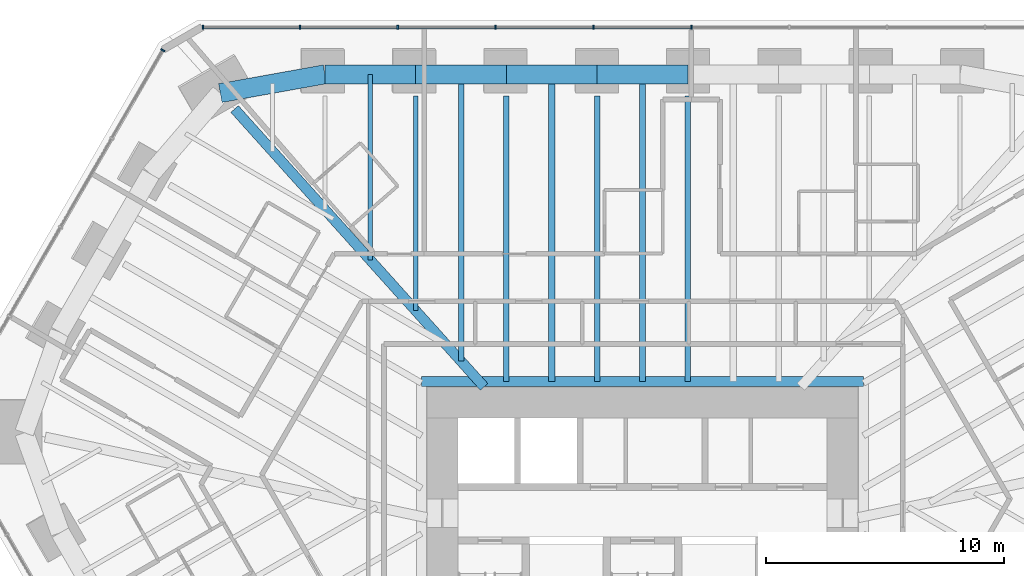
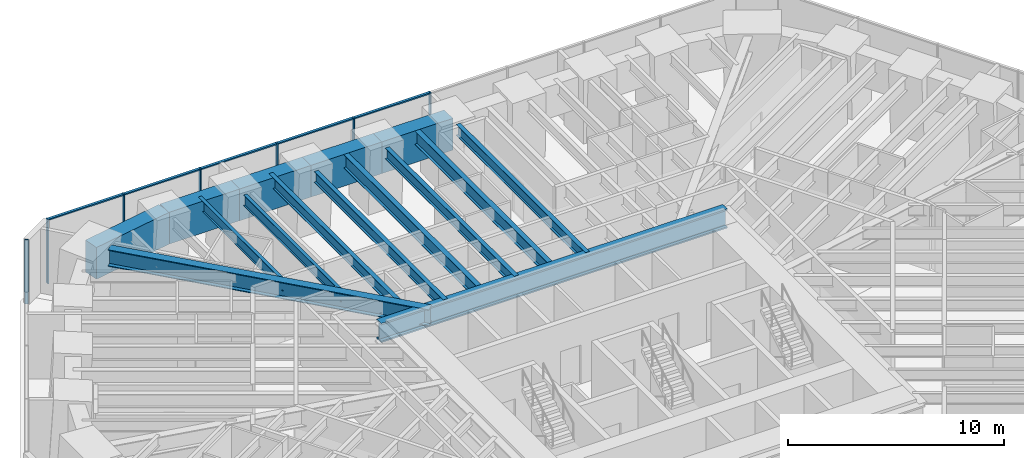
# One storey, part 8 of 17: 15 beams, 12 members, 2 elements without a shape of their own.
"""IFC4 building model written with IfcOpenShell, lengths in metres."""

from ifc_helpers import new_model, si_unit, direction, frame, origin, origin_2d, place, context, subcontext, project, spatial, rectangle, i_section, extrude, material, material_profile, profile_set, type_object, element, aggregate, save


model = new_model("IFC4")

# Units and contexts
model_context = context("Model", 3, precision=1e-05, world=origin(), true_north=direction((0.0, 1.0)))
body_context = subcontext(model_context, "Body", "Model", "MODEL_VIEW")
ifc_project = project(units=[si_unit("LENGTHUNIT", "METRE"), si_unit("AREAUNIT", "SQUARE_METRE"), si_unit("VOLUMEUNIT", "CUBIC_METRE"), si_unit("PLANEANGLEUNIT", "RADIAN"), si_unit("MASSUNIT", "GRAM", prefix="KILO")], contexts=[model_context])

# Site, building, storey
site_placement = place(None, origin())
site = spatial("IfcSite", under=ifc_project, at=site_placement, CompositionType="ELEMENT")
building_placement = place(site_placement, origin())
building = spatial("IfcBuilding", under=site, at=building_placement, Name="Sandreach Pilgrim Tower", CompositionType="ELEMENT")
storey_placement = place(building_placement, frame((0.0, 0.0, 161.39990234375)))
storey = spatial("IfcBuildingStorey", under=building, at=storey_placement, Name="L40", CompositionType="ELEMENT", Elevation=161.39990234375)

# Curtain wall, members
ifc_material_1 = material(Name="Aluminium framed curtain wall", Category="aluminium")
curtain_wall_type = type_object("IfcCurtainWallType", Name="Hotel tower curtain wall", PredefinedType="NOTDEFINED", material=ifc_material_1)
curtain_wall_1_placement = place(storey_placement, origin())
curtain_wall_1 = element("IfcCurtainWall", 1, at=curtain_wall_1_placement, inside=storey, type_object=curtain_wall_type, Name="CW-2 L40 N", PredefinedType="NOTDEFINED")
ifc_material_2 = material(Name="Aluminium extrusion", Category="aluminium")
ifc_material_profile_1 = material_profile(ifc_material_2, rectangle(XDim=0.06494140625, YDim=0.179931640625, at=origin_2d()), Name="CW-2M 65X180")
ifc_profile_set_1 = profile_set([ifc_material_profile_1], Name="Aluminium extrusion")
member_type_1 = type_object("IfcMemberType", Name="CW-2 mullion", PredefinedType="MULLION", material=ifc_profile_set_1)
member_1_placement = place(storey_placement, frame((-18.448974609375, 22.493896484375, 0.0), z_axis=(0.0, 0.0, 1.0), x_axis=(1.0, 0.0, 0.0)))
member_1 = element("IfcMember", 2, at=member_1_placement, type_object=member_type_1, Name="CW-2 mullion 1", PredefinedType="MULLION", context=body_context, shape_type="SweptSolid", body=[
    extrude(rectangle(XDim=0.06494140625, YDim=0.179931640625, at=origin_2d()), origin(), (0.0, 0.0, 1.0), 3.64013671875),
])
member_2_placement = place(storey_placement, frame((-14.37451171875, 22.493896484375, 0.0), z_axis=(0.0, 0.0, 1.0), x_axis=(1.0, 0.0, 0.0)))
member_2 = element("IfcMember", 3, at=member_2_placement, type_object=member_type_1, Name="CW-2 mullion 2", PredefinedType="MULLION", context=body_context, shape_type="SweptSolid", body=[
    extrude(rectangle(XDim=0.06494140625, YDim=0.179931640625, at=origin_2d()), origin(), (0.0, 0.0, 1.0), 3.64013671875),
])
member_3_placement = place(storey_placement, frame((-10.267333984375, 22.493896484375, 0.0), z_axis=(0.0, 0.0, 1.0), x_axis=(1.0, 0.0, 0.0)))
member_3 = element("IfcMember", 4, at=member_3_placement, type_object=member_type_1, Name="CW-2 mullion 3", PredefinedType="MULLION", context=body_context, shape_type="SweptSolid", body=[
    extrude(rectangle(XDim=0.06494140625, YDim=0.179931640625, at=origin_2d()), origin(), (0.0, 0.0, 1.0), 3.64013671875),
])
member_4_placement = place(storey_placement, frame((-6.160400390625, 22.493896484375, 0.0), z_axis=(0.0, 0.0, 1.0), x_axis=(1.0, 0.0, 0.0)))
member_4 = element("IfcMember", 5, at=member_4_placement, type_object=member_type_1, Name="CW-2 mullion 4", PredefinedType="MULLION", context=body_context, shape_type="SweptSolid", body=[
    extrude(rectangle(XDim=0.06494140625, YDim=0.179931640625, at=origin_2d()), origin(), (0.0, 0.0, 1.0), 3.64013671875),
])
member_5_placement = place(storey_placement, frame((-2.053466796875, 22.493896484375, 0.0), z_axis=(0.0, 0.0, 1.0), x_axis=(1.0, 0.0, 0.0)))
member_5 = element("IfcMember", 6, at=member_5_placement, type_object=member_type_1, Name="CW-2 mullion 5", PredefinedType="MULLION", context=body_context, shape_type="SweptSolid", body=[
    extrude(rectangle(XDim=0.06494140625, YDim=0.179931640625, at=origin_2d()), origin(), (0.0, 0.0, 1.0), 3.64013671875),
])
member_6_placement = place(storey_placement, frame((2.053466796875, 22.493896484375, 0.0), z_axis=(0.0, 0.0, 1.0), x_axis=(1.0, 0.0, 0.0)))
member_6 = element("IfcMember", 7, at=member_6_placement, type_object=member_type_1, Name="CW-2 mullion 6", PredefinedType="MULLION", context=body_context, shape_type="SweptSolid", body=[
    extrude(rectangle(XDim=0.06494140625, YDim=0.179931640625, at=origin_2d()), origin(), (0.0, 0.0, 1.0), 3.64013671875),
])

# Curtain wall, member
curtain_wall_2_placement = place(storey_placement, origin())
curtain_wall_2 = element("IfcCurtainWall", 8, at=curtain_wall_2_placement, inside=storey, type_object=curtain_wall_type, Name="CW-2 L40 NW", PredefinedType="NOTDEFINED")
member_7_placement = place(storey_placement, frame((-20.125732421875, 21.525634765625, 0.0), z_axis=(0.0, 0.0, 1.0), x_axis=(0.5, 0.866025403784, 0.0)))
member_7 = element("IfcMember", 9, at=member_7_placement, type_object=member_type_1, Name="CW-2 mullion 5", PredefinedType="MULLION", context=body_context, shape_type="SweptSolid", body=[
    extrude(rectangle(XDim=0.06494140625, YDim=0.179931640625, at=origin_2d()), origin(), (0.0, 0.0, 1.0), 3.64013671875),
])
aggregate(curtain_wall_2, [member_7])

# Member
ifc_material_3 = material(Name="Aluminium extrusion", Category="aluminium")
ifc_material_profile_2 = material_profile(ifc_material_3, rectangle(XDim=0.139892578125, YDim=0.070068359375, at=origin_2d()), Name="CW-2T 140X70")
ifc_profile_set_2 = profile_set([ifc_material_profile_2], Name="Aluminium extrusion")
member_type_2 = type_object("IfcMemberType", Name="CW-2 transom", PredefinedType="USERDEFINED", material=ifc_profile_set_2)
member_8_placement = place(storey_placement, frame((-18.416259765625, 22.493896484375, 3.60498046875), z_axis=(1.0, 0.0, 0.0), x_axis=(0.0, 1.0, 0.0)))
member_8 = element("IfcMember", 10, at=member_8_placement, type_object=member_type_2, Name="CW-2 head transom 1", ObjectType="TRANSOM", PredefinedType="USERDEFINED", context=body_context, shape_type="SweptSolid", body=[
    extrude(rectangle(XDim=0.139892578125, YDim=0.070068359375, at=origin_2d()), origin(), (0.0, 0.0, 1.0), 4.00927734375),
])

member_9_placement = place(storey_placement, frame((-14.341796875, 22.493896484375, 3.60498046875), z_axis=(1.0, 0.0, 0.0), x_axis=(0.0, 1.0, 0.0)))
member_9 = element("IfcMember", 11, at=member_9_placement, type_object=member_type_2, Name="CW-2 head transom 2", ObjectType="TRANSOM", PredefinedType="USERDEFINED", context=body_context, shape_type="SweptSolid", body=[
    extrude(rectangle(XDim=0.139892578125, YDim=0.070068359375, at=origin_2d()), origin(), (0.0, 0.0, 1.0), 4.041748046875),
])

member_10_placement = place(storey_placement, frame((-10.23486328125, 22.493896484375, 3.60498046875), z_axis=(1.0, 0.0, 0.0), x_axis=(0.0, 1.0, 0.0)))
member_10 = element("IfcMember", 12, at=member_10_placement, type_object=member_type_2, Name="CW-2 head transom 3", ObjectType="TRANSOM", PredefinedType="USERDEFINED", context=body_context, shape_type="SweptSolid", body=[
    extrude(rectangle(XDim=0.139892578125, YDim=0.070068359375, at=origin_2d()), origin(), (0.0, 0.0, 1.0), 4.0419921875),
])

member_11_placement = place(storey_placement, frame((-6.1279296875, 22.493896484375, 3.60498046875), z_axis=(1.0, 0.0, 0.0), x_axis=(0.0, 1.0, 0.0)))
member_11 = element("IfcMember", 13, at=member_11_placement, type_object=member_type_2, Name="CW-2 head transom 4", ObjectType="TRANSOM", PredefinedType="USERDEFINED", context=body_context, shape_type="SweptSolid", body=[
    extrude(rectangle(XDim=0.139892578125, YDim=0.070068359375, at=origin_2d()), origin(), (0.0, 0.0, 1.0), 4.0419921875),
])

member_12_placement = place(storey_placement, frame((-2.02099609375, 22.493896484375, 3.60498046875), z_axis=(1.0, 0.0, 0.0), x_axis=(0.0, 1.0, 0.0)))
member_12 = element("IfcMember", 14, at=member_12_placement, type_object=member_type_2, Name="CW-2 head transom 5", ObjectType="TRANSOM", PredefinedType="USERDEFINED", context=body_context, shape_type="SweptSolid", body=[
    extrude(rectangle(XDim=0.139892578125, YDim=0.070068359375, at=origin_2d()), origin(), (0.0, 0.0, 1.0), 4.0419921875),
])

aggregate(curtain_wall_1, [member_1, member_2, member_3, member_4, member_5, member_6, member_8, member_9, member_10, member_11, member_12])

# Beams
ifc_material_4 = material(Name="Steel ASTM A992 Grade 50", Category="steel")
ifc_material_profile_3 = material_profile(ifc_material_4, i_section(OverallWidth=0.424072265625, OverallDepth=1.09228515625, WebThickness=0.04541015625, FlangeThickness=0.08203125, at=origin_2d()), Name="W40X593")
ifc_profile_set_3 = profile_set([ifc_material_profile_3], Name="Steel ASTM A992 Grade 50")
beam_type_1 = type_object("IfcBeamType", Name="Core edge beam W40X593", PredefinedType="BEAM", material=ifc_profile_set_3)
beam_1_placement = place(storey_placement, frame((-9.27197265625, 7.6220703125, 3.093994140625), z_axis=(1.0, 0.0, 0.0), x_axis=(0.0, 1.0, 0.0)))
element("IfcBeam", 15, at=beam_1_placement, inside=storey, type_object=beam_type_1, Name="BM L40 CEN", PredefinedType="BEAM", context=body_context, shape_type="SweptSolid", body=[
    extrude(i_section(OverallWidth=0.424072265625, OverallDepth=1.09228515625, WebThickness=0.04541015625, FlangeThickness=0.08203125, at=origin_2d()), origin(), (0.0, 0.0, 1.0), 18.5439453125),
])
ifc_material_5 = material(Name="Steel ASTM A992 Grade 50", Category="steel")
ifc_material_profile_4 = material_profile(ifc_material_5, i_section(OverallWidth=0.424072265625, OverallDepth=0.947509765625, WebThickness=0.02392578125, FlangeThickness=0.042724609375, at=origin_2d()), Name="W36X302")
ifc_profile_set_4 = profile_set([ifc_material_profile_4], Name="Steel ASTM A992 Grade 50")
beam_type_2 = type_object("IfcBeamType", Name="Corner girder W36X302", PredefinedType="BEAM", material=ifc_profile_set_4)
beam_2_placement = place(storey_placement, frame((-17.112060546875, 19.05712890625, 3.16650390625), z_axis=(0.668110232317, -0.744062307521, 0.0), x_axis=(0.744062307521, 0.668110232317, 0.0)))
element("IfcBeam", 16, at=beam_2_placement, inside=storey, type_object=beam_type_2, Name="BM L40 CG39", PredefinedType="BEAM", context=body_context, shape_type="SweptSolid", body=[
    extrude(i_section(OverallWidth=0.424072265625, OverallDepth=0.947509765625, WebThickness=0.02392578125, FlangeThickness=0.042724609375, at=origin_2d()), origin(), (0.0, 0.0, 1.0), 15.6669921875),
])
ifc_material_6 = material(Name="Steel ASTM A992 Grade 50", Category="steel")
ifc_material_profile_5 = material_profile(ifc_material_6, i_section(OverallWidth=0.1787109375, OverallDepth=0.60205078125, WebThickness=0.010986328125, FlangeThickness=0.014892578125, at=origin_2d()), Name="W24X62")
ifc_profile_set_5 = profile_set([ifc_material_profile_5], Name="Steel ASTM A992 Grade 50")
beam_type_3 = type_object("IfcBeamType", Name="Floor beam W24X62", PredefinedType="BEAM", material=ifc_profile_set_5)
beam_3_placement = place(storey_placement, frame((-9.516357421875, 19.614990234375, 3.339111328125), z_axis=(0.0, -1.0, 0.0), x_axis=(1.0, 0.0, 0.0)))
element("IfcBeam", 17, at=beam_3_placement, inside=storey, type_object=beam_type_3, Name="BM L40 F02", PredefinedType="BEAM", context=body_context, shape_type="SweptSolid", body=[
    extrude(i_section(OverallWidth=0.1787109375, OverallDepth=0.60205078125, WebThickness=0.010986328125, FlangeThickness=0.014892578125, at=origin_2d()), origin(), (0.0, 0.0, 1.0), 9.016845703125),
])
beam_4_placement = place(storey_placement, frame((-11.419677734375, 20.514892578125, 3.339111328125), z_axis=(0.0, -1.0, 0.0), x_axis=(1.0, 0.0, 0.0)))
element("IfcBeam", 18, at=beam_4_placement, inside=storey, type_object=beam_type_3, Name="BM L40 FM01", PredefinedType="BEAM", context=body_context, shape_type="SweptSolid", body=[
    extrude(i_section(OverallWidth=0.1787109375, OverallDepth=0.60205078125, WebThickness=0.010986328125, FlangeThickness=0.014892578125, at=origin_2d()), origin(), (0.0, 0.0, 1.0), 7.797119140625),
])
ifc_material_7 = material(Name="Steel ASTM A992 Grade 50", Category="steel")
ifc_material_profile_6 = material_profile(ifc_material_7, i_section(OverallWidth=0.23046875, OverallDepth=0.6171875, WebThickness=0.01318359375, FlangeThickness=0.022216796875, at=origin_2d()), Name="W24X94")
ifc_profile_set_6 = profile_set([ifc_material_profile_6], Name="Steel ASTM A992 Grade 50")
beam_type_4 = type_object("IfcBeamType", Name="Floor beam W24X94", PredefinedType="BEAM", material=ifc_profile_set_6)
for number, where, z_axis, x_axis, name in (
    (19, (-5.7099609375, 19.614990234375, 3.33154296875), (0.0, -1.0, 0.0), (1.0, 0.0, 0.0), "BM L40 F03"),
    (20, (-1.9033203125, 19.614990234375, 3.33154296875), (0.0, -1.0, 0.0), (1.0, 0.0, 0.0), "BM L40 F04"),
    (21, (1.9033203125, 19.614990234375, 3.33154296875), (0.0, -1.0, 0.0), (1.0, 0.0, 0.0), "BM L40 F05"),
):
    element("IfcBeam", number, at=place(storey_placement, frame(where, z_axis=z_axis, x_axis=x_axis)), inside=storey, type_object=beam_type_4, Name=name, PredefinedType="BEAM", context=body_context, shape_type="SweptSolid", body=[
        extrude(i_section(OverallWidth=0.23046875, OverallDepth=0.6171875, WebThickness=0.01318359375, FlangeThickness=0.022216796875, at=origin_2d()), origin(), (0.0, 0.0, 1.0), 11.992919921875),
    ])
beam_5_placement = place(storey_placement, frame((-7.613037109375, 20.514892578125, 3.33154296875), z_axis=(0.0, -1.0, 0.0), x_axis=(1.0, 0.0, 0.0)))
element("IfcBeam", 22, at=beam_5_placement, inside=storey, type_object=beam_type_4, Name="BM L40 FM02", PredefinedType="BEAM", context=body_context, shape_type="SweptSolid", body=[
    extrude(i_section(OverallWidth=0.23046875, OverallDepth=0.6171875, WebThickness=0.01318359375, FlangeThickness=0.022216796875, at=origin_2d()), origin(), (0.0, 0.0, 1.0), 12.036376953125),
])
ifc_material_8 = material(Name="Steel ASTM A992 Grade 50", Category="steel")
ifc_material_profile_7 = material_profile(ifc_material_8, i_section(OverallWidth=0.2666015625, OverallDepth=0.761962890625, WebThickness=0.014404296875, FlangeThickness=0.021484375, at=origin_2d()), Name="W30X116")
ifc_profile_set_7 = profile_set([ifc_material_profile_7], Name="Steel ASTM A992 Grade 50")
beam_type_5 = type_object("IfcBeamType", Name="Floor beam W30X116", PredefinedType="BEAM", material=ifc_profile_set_7)
for number, where, z_axis, x_axis, name in (
    (23, (-3.806640625, 20.514892578125, 3.259033203125), (0.0, -1.0, 0.0), (1.0, 0.0, 0.0), "BM L40 FM03"),
    (24, (0.0, 20.514892578125, 3.259033203125), (0.0, -1.0, 0.0), (1.0, 0.0, 0.0), "BM L40 FM04"),
):
    element("IfcBeam", number, at=place(storey_placement, frame(where, z_axis=z_axis, x_axis=x_axis)), inside=storey, type_object=beam_type_5, Name=name, PredefinedType="BEAM", context=body_context, shape_type="SweptSolid", body=[
        extrude(i_section(OverallWidth=0.2666015625, OverallDepth=0.761962890625, WebThickness=0.014404296875, FlangeThickness=0.021484375, at=origin_2d()), origin(), (0.0, 0.0, 1.0), 12.892822265625),
    ])
ifc_material_9 = material(Name="Concrete 10000 psi", Category="concrete")
ifc_material_profile_8 = material_profile(ifc_material_9, rectangle(XDim=0.800048828125, YDim=1.800048828125, at=origin_2d()), Name="RC800X1800")
ifc_profile_set_8 = profile_set([ifc_material_profile_8], Name="Concrete 10000 psi")
beam_type_6 = type_object("IfcBeamType", Name="Spandrel beam RC800X1800", PredefinedType="SPANDREL", material=ifc_profile_set_8)
beam_6_placement = place(storey_placement, frame((-13.322998046875, 20.514892578125, 2.739990234375), z_axis=(1.0, 0.0, 0.0), x_axis=(0.0, 1.0, 0.0)))
element("IfcBeam", 25, at=beam_6_placement, inside=storey, type_object=beam_type_6, Name="BM L40 SP01", PredefinedType="SPANDREL", context=body_context, shape_type="SweptSolid", body=[
    extrude(rectangle(XDim=0.800048828125, YDim=1.800048828125, at=origin_2d()), origin(), (0.0, 0.0, 1.0), 3.806640625),
])
beam_7_placement = place(storey_placement, frame((-9.516357421875, 20.514892578125, 2.739990234375), z_axis=(1.0, 0.0, 0.0), x_axis=(0.0, 1.0, 0.0)))
element("IfcBeam", 26, at=beam_7_placement, inside=storey, type_object=beam_type_6, Name="BM L40 SP02", PredefinedType="SPANDREL", context=body_context, shape_type="SweptSolid", body=[
    extrude(rectangle(XDim=0.800048828125, YDim=1.800048828125, at=origin_2d()), origin(), (0.0, 0.0, 1.0), 3.806396484375),
])
for number, where, z_axis, x_axis, name in (
    (27, (-5.7099609375, 20.514892578125, 2.739990234375), (1.0, 0.0, 0.0), (0.0, 1.0, 0.0), "BM L40 SP03"),
    (28, (-1.9033203125, 20.514892578125, 2.739990234375), (1.0, 0.0, 0.0), (0.0, 1.0, 0.0), "BM L40 SP04"),
):
    element("IfcBeam", number, at=place(storey_placement, frame(where, z_axis=z_axis, x_axis=x_axis)), inside=storey, type_object=beam_type_6, Name=name, PredefinedType="SPANDREL", context=body_context, shape_type="SweptSolid", body=[
        extrude(rectangle(XDim=0.800048828125, YDim=1.800048828125, at=origin_2d()), origin(), (0.0, 0.0, 1.0), 3.806640625),
    ])
beam_8_placement = place(storey_placement, frame((-17.71337890625, 19.726806640625, 2.739990234375), z_axis=(0.984268522509, 0.176679018554, 0.0), x_axis=(-0.176679018554, 0.984268522509, 0.0)))
element("IfcBeam", 29, at=beam_8_placement, inside=storey, type_object=beam_type_6, Name="BM L40 SP39", PredefinedType="SPANDREL", context=body_context, shape_type="SweptSolid", body=[
    extrude(rectangle(XDim=0.800048828125, YDim=1.800048828125, at=origin_2d()), origin(), (0.0, 0.0, 1.0), 4.46044921875),
])

save(model, "model.ifc")
